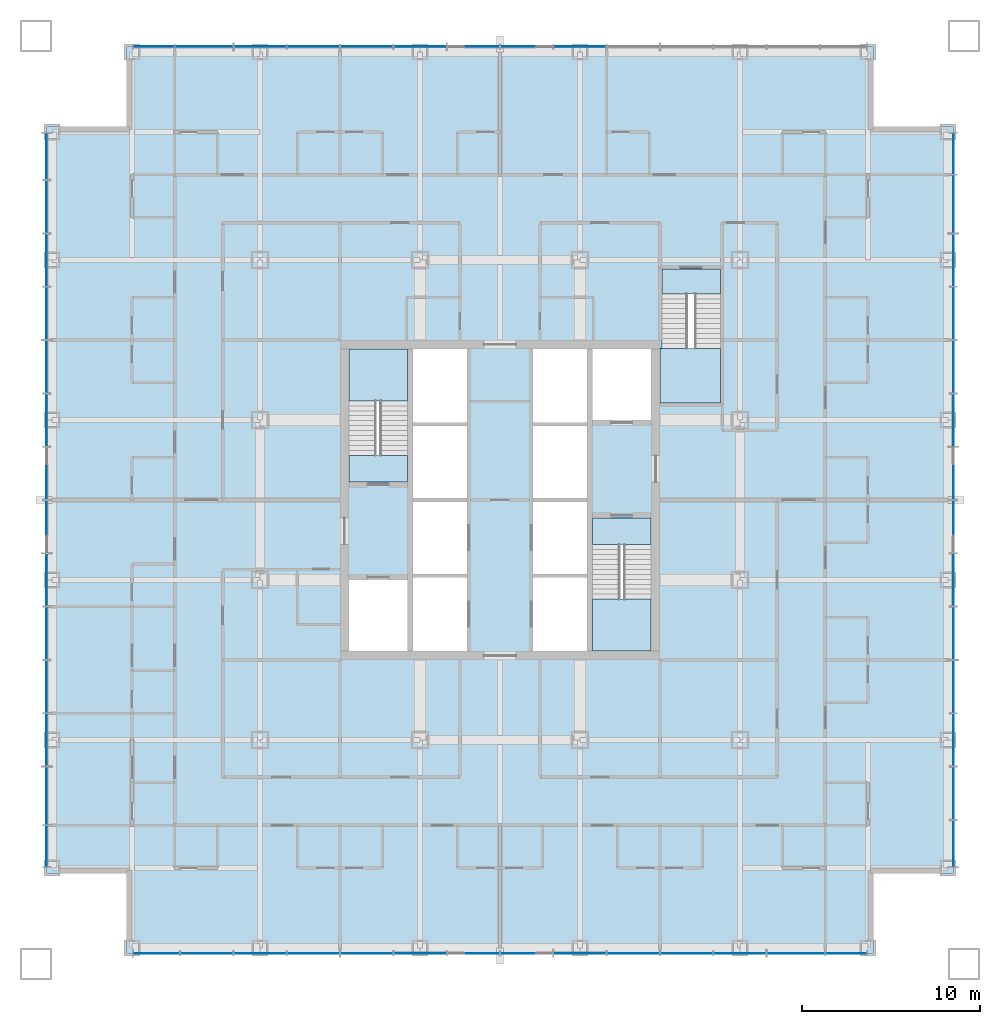
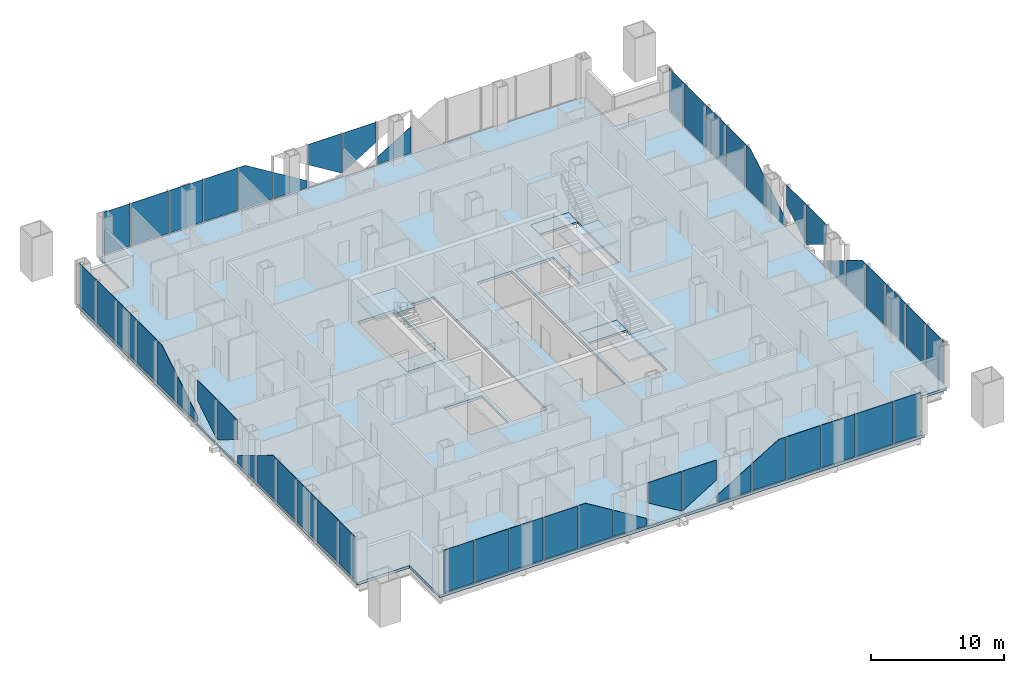
# One storey, part 6 of 13: 51 plates, 7 slabs, 7 elements without a shape of their own.
"""IFC4 building model written with IfcOpenShell, lengths in metres."""

from ifc_helpers import new_model, si_unit, direction, frame, origin, origin_2d, place, context, subcontext, project, spatial, polyline, rectangle, outline, extrude, material, layer, layer_set, type_object, element, aggregate, save


model = new_model("IFC4")

# Units and contexts
model_context = context("Model", 3, precision=1e-05, world=origin(), true_north=direction((0.0, 1.0)))
body_context = subcontext(model_context, "Body", "Model", "MODEL_VIEW")
ifc_project = project(units=[si_unit("LENGTHUNIT", "METRE"), si_unit("AREAUNIT", "SQUARE_METRE"), si_unit("VOLUMEUNIT", "CUBIC_METRE"), si_unit("PLANEANGLEUNIT", "RADIAN"), si_unit("MASSUNIT", "GRAM", prefix="KILO")], contexts=[model_context])

# Site, building, storey
site_placement = place(None, origin())
site = spatial("IfcSite", under=ifc_project, at=site_placement, CompositionType="ELEMENT")
building_placement = place(site_placement, origin())
building = spatial("IfcBuilding", under=site, at=building_placement, Name="Malebo Sky Hospital", CompositionType="ELEMENT")
storey_placement = place(building_placement, frame((0.0, 0.0, 47.0)))
storey = spatial("IfcBuildingStorey", under=building, at=storey_placement, Name="L10", CompositionType="ELEMENT", Elevation=47.0)

# Slab
ifc_material_1 = material(Name="Concrete C40/50", Category="concrete")
ifc_layer_1 = layer(ifc_material_1, 0.25)
ifc_layer_set_1 = layer_set([ifc_layer_1], Name="COMPOSITE FLOOR SLAB 250")
slab_type_1 = type_object("IfcSlabType", Name="COMPOSITE FLOOR SLAB 250", PredefinedType="FLOOR", material=ifc_layer_set_1)
slab_1_placement = place(storey_placement, frame((0.0, 0.0, -0.25)))
element("IfcSlab", 1, at=slab_1_placement, inside=storey, type_object=slab_type_1, Name="Floor slab L10", PredefinedType="FLOOR", context=body_context, shape_type="SweptSolid", body=[
    extrude(outline(polyline([(39.0, 87.5), (39.0, 83.0), (34.5, 83.0), (34.5, 41.0), (39.0, 41.0), (39.0, 36.5), (81.0, 36.5), (81.0, 41.0), (85.5, 41.0), (85.5, 83.0), (81.0, 83.0), (81.0, 87.5), (39.0, 87.5)]), holes=[polyline([(55.10009765625, 70.5), (58.14990234375, 70.5), (58.14990234375, 53.5), (55.10009765625, 53.5), (55.10009765625, 70.5)]), polyline([(64.89990234375, 70.5), (64.89990234375, 53.5), (61.85009765625, 53.5), (61.85009765625, 70.5), (64.89990234375, 70.5)]), polyline([(54.800048828125, 63.0), (51.5, 63.0), (51.5, 70.5), (54.800048828125, 70.5), (54.800048828125, 63.0)]), polyline([(51.5, 53.5), (51.5, 57.5), (54.800048828125, 57.5), (54.800048828125, 53.5), (51.5, 53.5)]), polyline([(65.199951171875, 61.0), (68.5, 61.0), (68.5, 53.5), (65.199951171875, 53.5), (65.199951171875, 61.0)]), polyline([(68.5, 70.5), (68.5, 66.5), (65.199951171875, 66.5), (65.199951171875, 70.5), (68.5, 70.5)]), polyline([(69.0, 67.449951171875), (69.0, 70.52001953125), (69.10009765625, 70.52001953125), (69.10009765625, 75.0), (72.39990234375, 75.0), (72.39990234375, 67.449951171875), (69.10009765625, 67.449951171875), (69.0, 67.449951171875)])]), origin(), (0.0, 0.0, 1.0), 0.25),
])

# Stair, slabs
stair_type_1 = type_object("IfcStairType", Name="HALF-TURN STAIR 1500 R167", PredefinedType="HALF_TURN_STAIR", material=ifc_material_1)
stair_1_placement = place(storey_placement, origin())
stair_1 = element("IfcStair", 2, at=stair_1_placement, inside=storey, type_object=stair_type_1, Name="Stair S1 L10 type ST1", PredefinedType="HALF_TURN_STAIR")
ifc_layer_2 = layer(ifc_material_1, 0.199951171875)
ifc_layer_set_2 = layer_set([ifc_layer_2], Name="STAIR LANDING 200")
slab_type_2 = type_object("IfcSlabType", Name="STAIR LANDING 200", PredefinedType="LANDING", material=ifc_layer_set_2)
slab_2_placement = place(storey_placement, frame((0.0, 0.0, -0.199951171875)))
slab_2 = element("IfcSlab", 3, at=slab_2_placement, type_object=slab_type_2, Name="S1 landing 1", PredefinedType="LANDING", context=body_context, shape_type="SweptSolid", body=[
    extrude(outline(polyline([(51.5, 63.0), (54.800048828125, 63.0), (54.800048828125, 64.5), (51.5, 64.5), (51.5, 63.0)])), origin(), (0.0, 0.0, 1.0), 0.199951171875),
])
slab_3_placement = place(storey_placement, frame((0.0, 0.0, 1.800048828125)))
slab_3 = element("IfcSlab", 4, at=slab_3_placement, type_object=slab_type_2, Name="S1 landing 2", PredefinedType="LANDING", context=body_context, shape_type="SweptSolid", body=[
    extrude(outline(polyline([(51.5, 67.580078125), (54.800048828125, 67.580078125), (54.800048828125, 70.5), (51.5, 70.5), (51.5, 67.580078125)])), origin(), (0.0, 0.0, 1.0), 0.199951171875),
])
aggregate(stair_1, [slab_2, slab_3])

stair_2_placement = place(storey_placement, origin())
stair_2 = element("IfcStair", 5, at=stair_2_placement, inside=storey, type_object=stair_type_1, Name="Stair S2 L10 type ST1", PredefinedType="HALF_TURN_STAIR")
slab_4_placement = place(storey_placement, frame((0.0, 0.0, -0.199951171875)))
slab_4 = element("IfcSlab", 6, at=slab_4_placement, type_object=slab_type_2, Name="S2 landing 1", PredefinedType="LANDING", context=body_context, shape_type="SweptSolid", body=[
    extrude(outline(polyline([(65.199951171875, 59.5), (68.5, 59.5), (68.5, 61.0), (65.199951171875, 61.0), (65.199951171875, 59.5)])), origin(), (0.0, 0.0, 1.0), 0.199951171875),
])
slab_5_placement = place(storey_placement, frame((0.0, 0.0, 1.800048828125)))
slab_5 = element("IfcSlab", 7, at=slab_5_placement, type_object=slab_type_2, Name="S2 landing 2", PredefinedType="LANDING", context=body_context, shape_type="SweptSolid", body=[
    extrude(outline(polyline([(65.199951171875, 53.5), (68.5, 53.5), (68.5, 56.419921875), (65.199951171875, 56.419921875), (65.199951171875, 53.5)])), origin(), (0.0, 0.0, 1.0), 0.199951171875),
])
aggregate(stair_2, [slab_4, slab_5])

stair_type_2 = type_object("IfcStairType", Name="HALF-TURN STAIR 1400 R167", PredefinedType="HALF_TURN_STAIR", material=ifc_material_1)
stair_3_placement = place(storey_placement, origin())
stair_3 = element("IfcStair", 8, at=stair_3_placement, inside=storey, type_object=stair_type_2, Name="Stair S3 L10 type ST1B", PredefinedType="HALF_TURN_STAIR")
slab_6_placement = place(storey_placement, frame((0.0, 0.0, -0.199951171875)))
slab_6 = element("IfcSlab", 9, at=slab_6_placement, type_object=slab_type_2, Name="S3 landing 1", PredefinedType="LANDING", context=body_context, shape_type="SweptSolid", body=[
    extrude(outline(polyline([(69.10009765625, 73.60009765625), (72.39990234375, 73.60009765625), (72.39990234375, 75.0), (69.10009765625, 75.0), (69.10009765625, 73.60009765625)])), origin(), (0.0, 0.0, 1.0), 0.199951171875),
])
slab_7_placement = place(storey_placement, frame((0.0, 0.0, 1.800048828125)))
slab_7 = element("IfcSlab", 10, at=slab_7_placement, type_object=slab_type_2, Name="S3 landing 2", PredefinedType="LANDING", context=body_context, shape_type="SweptSolid", body=[
    extrude(outline(polyline([(69.0, 67.449951171875), (72.39990234375, 67.449951171875), (72.39990234375, 70.52001953125), (69.0, 70.52001953125), (69.0, 67.449951171875)])), origin(), (0.0, 0.0, 1.0), 0.199951171875),
])
aggregate(stair_3, [slab_6, slab_7])

# Curtain wall, plates
ifc_material_2 = material(Name="Anodised aluminium, natural silver", Category="aluminium")
ifc_layer_3 = layer(ifc_material_2, 0.25)
ifc_layer_set_3 = layer_set([ifc_layer_3], Name="WARD CURTAIN WALL NORTH AND SOUTH")
curtain_wall_type_1 = type_object("IfcCurtainWallType", Name="WARD CURTAIN WALL NORTH AND SOUTH", PredefinedType="NOTDEFINED", material=ifc_layer_set_3)
curtain_wall_1_placement = place(storey_placement, origin())
curtain_wall_1 = element("IfcCurtainWall", 11, at=curtain_wall_1_placement, inside=storey, type_object=curtain_wall_type_1, Name="NS curtain wall N", PredefinedType="NOTDEFINED")
ifc_material_3 = material(Name="Clear low-iron double glazing", Category="glass")
ifc_layer_4 = layer(ifc_material_3, 0.031982421875)
ifc_layer_set_4 = layer_set([ifc_layer_4], Name="VISION PANEL CLEAR 32")
plate_type = type_object("IfcPlateType", Name="VISION PANEL CLEAR 32", PredefinedType="CURTAIN_PANEL", material=ifc_layer_set_4)
plate_1_placement = place(storey_placement, frame((40.518798828125, 87.5, 0.10009765625), z_axis=(0.0, 0.0, 1.0), x_axis=(1.0, 0.0, 0.0)))
plate_1 = element("IfcPlate", 12, at=plate_1_placement, type_object=plate_type, Name="Panel 1", PredefinedType="CURTAIN_PANEL", context=body_context, shape_type="SweptSolid", body=[
    extrude(rectangle(XDim=2.28759765625, YDim=0.031982421875, at=origin_2d()), origin(), (0.0, 0.0, 1.0), 3.889892578125),
])
plate_2_placement = place(storey_placement, frame((43.35009765625, 87.5, 0.10009765625), z_axis=(0.0, 0.0, 1.0), x_axis=(1.0, 0.0, 0.0)))
plate_2 = element("IfcPlate", 13, at=plate_2_placement, type_object=plate_type, Name="Panel 2", PredefinedType="CURTAIN_PANEL", context=body_context, shape_type="SweptSolid", body=[
    extrude(rectangle(XDim=3.22509765625, YDim=0.031982421875, at=origin_2d()), origin(), (0.0, 0.0, 1.0), 3.889892578125),
])
plate_3_placement = place(storey_placement, frame((46.5, 87.5, 0.10009765625), z_axis=(0.0, 0.0, 1.0), x_axis=(1.0, 0.0, 0.0)))
plate_3 = element("IfcPlate", 14, at=plate_3_placement, type_object=plate_type, Name="Panel 3", PredefinedType="CURTAIN_PANEL", context=body_context, shape_type="SweptSolid", body=[
    extrude(rectangle(XDim=2.925048828125, YDim=0.031982421875, at=origin_2d()), origin(), (0.0, 0.0, 1.0), 3.889892578125),
])
plate_4_placement = place(storey_placement, frame((49.5, 87.5, 0.10009765625), z_axis=(0.0, 0.0, 1.0), x_axis=(1.0, 0.0, 0.0)))
plate_4 = element("IfcPlate", 15, at=plate_4_placement, type_object=plate_type, Name="Panel 4", PredefinedType="CURTAIN_PANEL", context=body_context, shape_type="SweptSolid", body=[
    extrude(rectangle(XDim=2.925048828125, YDim=0.031982421875, at=origin_2d()), origin(), (0.0, 0.0, 1.0), 3.889892578125),
])
plate_5_placement = place(storey_placement, frame((52.5, 87.5, 0.10009765625), z_axis=(0.0, 0.0, 1.0), x_axis=(1.0, 0.0, 0.0)))
plate_5 = element("IfcPlate", 16, at=plate_5_placement, type_object=plate_type, Name="Panel 5", PredefinedType="CURTAIN_PANEL", context=body_context, shape_type="SweptSolid", body=[
    extrude(outline(polyline([(-1.46240234375, 0.0), (1.46240234375, 0.0), (1.46240234375, 2.467529296875), (-0.85791015625, 3.889892578125), (-1.46240234375, 3.889892578125), (-1.46240234375, 0.0)])), frame((0.0, 0.01611328125, 0.0), z_axis=(0.0, -1.0, 0.0), x_axis=(1.0, 0.0, 0.0)), (0.0, 0.0, 1.0), 0.031982421875),
])
plate_6_placement = place(storey_placement, frame((55.5, 87.5, 0.10009765625), z_axis=(0.0, 0.0, 1.0), x_axis=(1.0, 0.0, 0.0)))
plate_6 = element("IfcPlate", 17, at=plate_6_placement, type_object=plate_type, Name="Panel 6", PredefinedType="CURTAIN_PANEL", context=body_context, shape_type="SweptSolid", body=[
    extrude(outline(polyline([(-1.46240234375, 0.0), (1.46240234375, 0.0), (1.46240234375, 0.62841796875), (-1.46240234375, 2.421630859375), (-1.46240234375, 0.0)])), frame((0.0, 0.01611328125, 0.0), z_axis=(0.0, -1.0, 0.0), x_axis=(1.0, 0.0, 0.0)), (0.0, 0.0, 1.0), 0.031982421875),
])
plate_7_placement = place(storey_placement, frame((58.5, 87.5, 0.356689453125), z_axis=(0.0, 0.0, 1.0), x_axis=(1.0, 0.0, 0.0)))
plate_7 = element("IfcPlate", 18, at=plate_7_placement, type_object=plate_type, Name="Panel 7", PredefinedType="CURTAIN_PANEL", context=body_context, shape_type="SweptSolid", body=[
    extrude(outline(polyline([(1.46240234375, 0.0), (1.46240234375, 3.63330078125), (-1.46240234375, 3.63330078125), (-1.46240234375, 1.793212890625), (1.46240234375, 0.0)])), frame((0.0, 0.01611328125, 0.0), z_axis=(0.0, -1.0, 0.0), x_axis=(1.0, 0.0, 0.0)), (0.0, 0.0, 1.0), 0.031982421875),
])
plate_8_placement = place(storey_placement, frame((61.5, 87.5, 0.356689453125), z_axis=(0.0, 0.0, 1.0), x_axis=(1.0, 0.0, 0.0)))
plate_8 = element("IfcPlate", 19, at=plate_8_placement, type_object=plate_type, Name="Panel 8", PredefinedType="CURTAIN_PANEL", context=body_context, shape_type="SweptSolid", body=[
    extrude(outline(polyline([(-1.46240234375, 0.0), (1.46240234375, 1.793212890625), (1.46240234375, 3.63330078125), (-1.46240234375, 3.63330078125), (-1.46240234375, 0.0)])), frame((0.0, 0.01611328125, 0.0), z_axis=(0.0, -1.0, 0.0), x_axis=(1.0, 0.0, 0.0)), (0.0, 0.0, 1.0), 0.031982421875),
])
plate_9_placement = place(storey_placement, frame((64.5, 87.5, 0.10009765625), z_axis=(0.0, 0.0, 1.0), x_axis=(1.0, 0.0, 0.0)))
plate_9 = element("IfcPlate", 20, at=plate_9_placement, type_object=plate_type, Name="Panel 9", PredefinedType="CURTAIN_PANEL", context=body_context, shape_type="SweptSolid", body=[
    extrude(outline(polyline([(-1.46240234375, 0.0), (1.46240234375, 0.0), (1.46240234375, 2.421630859375), (-1.46240234375, 0.62841796875), (-1.46240234375, 0.0)])), frame((0.0, 0.01611328125, 0.0), z_axis=(0.0, -1.0, 0.0), x_axis=(1.0, 0.0, 0.0)), (0.0, 0.0, 1.0), 0.031982421875),
])
aggregate(curtain_wall_1, [plate_1, plate_2, plate_3, plate_4, plate_5, plate_6, plate_7, plate_8, plate_9])

ifc_layer_5 = layer(ifc_material_2, 0.25)
ifc_layer_set_5 = layer_set([ifc_layer_5], Name="WARD CURTAIN WALL EAST AND WEST")
curtain_wall_type_2 = type_object("IfcCurtainWallType", Name="WARD CURTAIN WALL EAST AND WEST", PredefinedType="NOTDEFINED", material=ifc_layer_set_5)
curtain_wall_2_placement = place(storey_placement, origin())
curtain_wall_2 = element("IfcCurtainWall", 21, at=curtain_wall_2_placement, inside=storey, type_object=curtain_wall_type_2, Name="EW curtain wall W", PredefinedType="NOTDEFINED")
plate_10_placement = place(storey_placement, frame((34.5, 42.518798828125, 0.10009765625), z_axis=(0.0, 0.0, 1.0), x_axis=(0.0, 1.0, 0.0)))
plate_10 = element("IfcPlate", 22, at=plate_10_placement, type_object=plate_type, Name="Panel 1", PredefinedType="CURTAIN_PANEL", context=body_context, shape_type="SweptSolid", body=[
    extrude(rectangle(XDim=2.28759765625, YDim=0.031982421875, at=origin_2d()), origin(), (0.0, 0.0, 1.0), 3.889892578125),
])
plate_11_placement = place(storey_placement, frame((34.5, 45.35009765625, 0.10009765625), z_axis=(0.0, 0.0, 1.0), x_axis=(0.0, 1.0, 0.0)))
plate_11 = element("IfcPlate", 23, at=plate_11_placement, type_object=plate_type, Name="Panel 2", PredefinedType="CURTAIN_PANEL", context=body_context, shape_type="SweptSolid", body=[
    extrude(rectangle(XDim=3.22509765625, YDim=0.031982421875, at=origin_2d()), origin(), (0.0, 0.0, 1.0), 3.889892578125),
])
plate_12_placement = place(storey_placement, frame((34.5, 48.5, 0.10009765625), z_axis=(0.0, 0.0, 1.0), x_axis=(0.0, 1.0, 0.0)))
plate_12 = element("IfcPlate", 24, at=plate_12_placement, type_object=plate_type, Name="Panel 3", PredefinedType="CURTAIN_PANEL", context=body_context, shape_type="SweptSolid", body=[
    extrude(rectangle(XDim=2.925048828125, YDim=0.031982421875, at=origin_2d()), origin(), (0.0, 0.0, 1.0), 3.889892578125),
])
plate_13_placement = place(storey_placement, frame((34.5, 51.5, 0.10009765625), z_axis=(0.0, 0.0, 1.0), x_axis=(0.0, 1.0, 0.0)))
plate_13 = element("IfcPlate", 25, at=plate_13_placement, type_object=plate_type, Name="Panel 4", PredefinedType="CURTAIN_PANEL", context=body_context, shape_type="SweptSolid", body=[
    extrude(rectangle(XDim=2.925048828125, YDim=0.031982421875, at=origin_2d()), origin(), (0.0, 0.0, 1.0), 3.889892578125),
])
plate_14_placement = place(storey_placement, frame((34.5, 54.5, 0.10009765625), z_axis=(0.0, 0.0, 1.0), x_axis=(0.0, 1.0, 0.0)))
plate_14 = element("IfcPlate", 26, at=plate_14_placement, type_object=plate_type, Name="Panel 5", PredefinedType="CURTAIN_PANEL", context=body_context, shape_type="SweptSolid", body=[
    extrude(outline(polyline([(-1.46240234375, 0.0), (1.46240234375, 0.0), (1.46240234375, 2.467529296875), (-0.85791015625, 3.889892578125), (-1.46240234375, 3.889892578125), (-1.46240234375, 0.0)])), frame((0.0, 0.01611328125, 0.0), z_axis=(0.0, -1.0, 0.0), x_axis=(1.0, 0.0, 0.0)), (0.0, 0.0, 1.0), 0.031982421875),
])
plate_15_placement = place(storey_placement, frame((34.5, 57.5, 0.10009765625), z_axis=(0.0, 0.0, 1.0), x_axis=(0.0, 1.0, 0.0)))
plate_15 = element("IfcPlate", 27, at=plate_15_placement, type_object=plate_type, Name="Panel 6", PredefinedType="CURTAIN_PANEL", context=body_context, shape_type="SweptSolid", body=[
    extrude(outline(polyline([(-1.46240234375, 0.0), (1.46240234375, 0.0), (1.46240234375, 0.62841796875), (-1.46240234375, 2.421630859375), (-1.46240234375, 0.0)])), frame((0.0, 0.01611328125, 0.0), z_axis=(0.0, -1.0, 0.0), x_axis=(1.0, 0.0, 0.0)), (0.0, 0.0, 1.0), 0.031982421875),
])
plate_16_placement = place(storey_placement, frame((34.5, 60.5, 0.356689453125), z_axis=(0.0, 0.0, 1.0), x_axis=(0.0, 1.0, 0.0)))
plate_16 = element("IfcPlate", 28, at=plate_16_placement, type_object=plate_type, Name="Panel 7", PredefinedType="CURTAIN_PANEL", context=body_context, shape_type="SweptSolid", body=[
    extrude(outline(polyline([(1.46240234375, 0.0), (1.46240234375, 3.63330078125), (-1.46240234375, 3.63330078125), (-1.46240234375, 1.793212890625), (1.46240234375, 0.0)])), frame((0.0, 0.01611328125, 0.0), z_axis=(0.0, -1.0, 0.0), x_axis=(1.0, 0.0, 0.0)), (0.0, 0.0, 1.0), 0.031982421875),
])
plate_17_placement = place(storey_placement, frame((34.5, 63.5, 0.356689453125), z_axis=(0.0, 0.0, 1.0), x_axis=(0.0, 1.0, 0.0)))
plate_17 = element("IfcPlate", 29, at=plate_17_placement, type_object=plate_type, Name="Panel 8", PredefinedType="CURTAIN_PANEL", context=body_context, shape_type="SweptSolid", body=[
    extrude(outline(polyline([(-1.46240234375, 0.0), (1.46240234375, 1.793212890625), (1.46240234375, 3.63330078125), (-1.46240234375, 3.63330078125), (-1.46240234375, 0.0)])), frame((0.0, 0.01611328125, 0.0), z_axis=(0.0, -1.0, 0.0), x_axis=(1.0, 0.0, 0.0)), (0.0, 0.0, 1.0), 0.031982421875),
])
plate_18_placement = place(storey_placement, frame((34.5, 66.5, 0.10009765625), z_axis=(0.0, 0.0, 1.0), x_axis=(0.0, 1.0, 0.0)))
plate_18 = element("IfcPlate", 30, at=plate_18_placement, type_object=plate_type, Name="Panel 9", PredefinedType="CURTAIN_PANEL", context=body_context, shape_type="SweptSolid", body=[
    extrude(outline(polyline([(-1.46240234375, 0.0), (1.46240234375, 0.0), (1.46240234375, 2.421630859375), (-1.46240234375, 0.62841796875), (-1.46240234375, 0.0)])), frame((0.0, 0.01611328125, 0.0), z_axis=(0.0, -1.0, 0.0), x_axis=(1.0, 0.0, 0.0)), (0.0, 0.0, 1.0), 0.031982421875),
])
plate_19_placement = place(storey_placement, frame((34.5, 69.5, 0.10009765625), z_axis=(0.0, 0.0, 1.0), x_axis=(0.0, 1.0, 0.0)))
plate_19 = element("IfcPlate", 31, at=plate_19_placement, type_object=plate_type, Name="Panel 10", PredefinedType="CURTAIN_PANEL", context=body_context, shape_type="SweptSolid", body=[
    extrude(outline(polyline([(-1.46240234375, 0.0), (1.46240234375, 0.0), (1.46240234375, 3.889892578125), (0.85791015625, 3.889892578125), (-1.46240234375, 2.467529296875), (-1.46240234375, 0.0)])), frame((0.0, 0.01611328125, 0.0), z_axis=(0.0, -1.0, 0.0), x_axis=(1.0, 0.0, 0.0)), (0.0, 0.0, 1.0), 0.031982421875),
])
plate_20_placement = place(storey_placement, frame((34.5, 72.5, 0.10009765625), z_axis=(0.0, 0.0, 1.0), x_axis=(0.0, 1.0, 0.0)))
plate_20 = element("IfcPlate", 32, at=plate_20_placement, type_object=plate_type, Name="Panel 11", PredefinedType="CURTAIN_PANEL", context=body_context, shape_type="SweptSolid", body=[
    extrude(rectangle(XDim=2.925048828125, YDim=0.031982421875, at=origin_2d()), origin(), (0.0, 0.0, 1.0), 3.889892578125),
])
plate_21_placement = place(storey_placement, frame((34.5, 75.5, 0.10009765625), z_axis=(0.0, 0.0, 1.0), x_axis=(0.0, 1.0, 0.0)))
plate_21 = element("IfcPlate", 33, at=plate_21_placement, type_object=plate_type, Name="Panel 12", PredefinedType="CURTAIN_PANEL", context=body_context, shape_type="SweptSolid", body=[
    extrude(rectangle(XDim=2.925048828125, YDim=0.031982421875, at=origin_2d()), origin(), (0.0, 0.0, 1.0), 3.889892578125),
])
plate_22_placement = place(storey_placement, frame((34.5, 78.5, 0.10009765625), z_axis=(0.0, 0.0, 1.0), x_axis=(0.0, 1.0, 0.0)))
plate_22 = element("IfcPlate", 34, at=plate_22_placement, type_object=plate_type, Name="Panel 13", PredefinedType="CURTAIN_PANEL", context=body_context, shape_type="SweptSolid", body=[
    extrude(rectangle(XDim=2.925048828125, YDim=0.031982421875, at=origin_2d()), origin(), (0.0, 0.0, 1.0), 3.889892578125),
])
plate_23_placement = place(storey_placement, frame((34.5, 81.331298828125, 0.10009765625), z_axis=(0.0, 0.0, 1.0), x_axis=(0.0, 1.0, 0.0)))
plate_23 = element("IfcPlate", 35, at=plate_23_placement, type_object=plate_type, Name="Panel 14", PredefinedType="CURTAIN_PANEL", context=body_context, shape_type="SweptSolid", body=[
    extrude(rectangle(XDim=2.58740234375, YDim=0.031982421875, at=origin_2d()), origin(), (0.0, 0.0, 1.0), 3.889892578125),
])
aggregate(curtain_wall_2, [plate_10, plate_11, plate_12, plate_13, plate_14, plate_15, plate_16, plate_17, plate_18, plate_19, plate_20, plate_21, plate_22, plate_23])

curtain_wall_3_placement = place(storey_placement, origin())
curtain_wall_3 = element("IfcCurtainWall", 36, at=curtain_wall_3_placement, inside=storey, type_object=curtain_wall_type_1, Name="NS curtain wall S", PredefinedType="NOTDEFINED")
plate_24_placement = place(storey_placement, frame((79.481201171875, 36.5, 0.10009765625), z_axis=(0.0, 0.0, 1.0), x_axis=(-1.0, 0.0, 0.0)))
plate_24 = element("IfcPlate", 37, at=plate_24_placement, type_object=plate_type, Name="Panel 1", PredefinedType="CURTAIN_PANEL", context=body_context, shape_type="SweptSolid", body=[
    extrude(rectangle(XDim=2.28759765625, YDim=0.031982421875, at=origin_2d()), origin(), (0.0, 0.0, 1.0), 3.889892578125),
])
plate_25_placement = place(storey_placement, frame((76.64990234375, 36.5, 0.10009765625), z_axis=(0.0, 0.0, 1.0), x_axis=(-1.0, 0.0, 0.0)))
plate_25 = element("IfcPlate", 38, at=plate_25_placement, type_object=plate_type, Name="Panel 2", PredefinedType="CURTAIN_PANEL", context=body_context, shape_type="SweptSolid", body=[
    extrude(rectangle(XDim=3.22509765625, YDim=0.031982421875, at=origin_2d()), origin(), (0.0, 0.0, 1.0), 3.889892578125),
])
plate_26_placement = place(storey_placement, frame((73.5, 36.5, 0.10009765625), z_axis=(0.0, 0.0, 1.0), x_axis=(-1.0, 0.0, 0.0)))
plate_26 = element("IfcPlate", 39, at=plate_26_placement, type_object=plate_type, Name="Panel 3", PredefinedType="CURTAIN_PANEL", context=body_context, shape_type="SweptSolid", body=[
    extrude(rectangle(XDim=2.925048828125, YDim=0.031982421875, at=origin_2d()), origin(), (0.0, 0.0, 1.0), 3.889892578125),
])
plate_27_placement = place(storey_placement, frame((70.5, 36.5, 0.10009765625), z_axis=(0.0, 0.0, 1.0), x_axis=(-1.0, 0.0, 0.0)))
plate_27 = element("IfcPlate", 40, at=plate_27_placement, type_object=plate_type, Name="Panel 4", PredefinedType="CURTAIN_PANEL", context=body_context, shape_type="SweptSolid", body=[
    extrude(rectangle(XDim=2.925048828125, YDim=0.031982421875, at=origin_2d()), origin(), (0.0, 0.0, 1.0), 3.889892578125),
])
plate_28_placement = place(storey_placement, frame((67.5, 36.5, 0.10009765625), z_axis=(0.0, 0.0, 1.0), x_axis=(-1.0, 0.0, 0.0)))
plate_28 = element("IfcPlate", 41, at=plate_28_placement, type_object=plate_type, Name="Panel 5", PredefinedType="CURTAIN_PANEL", context=body_context, shape_type="SweptSolid", body=[
    extrude(outline(polyline([(-1.46240234375, 0.0), (1.46240234375, 0.0), (1.46240234375, 2.467529296875), (-0.85791015625, 3.889892578125), (-1.46240234375, 3.889892578125), (-1.46240234375, 0.0)])), frame((0.0, 0.01611328125, 0.0), z_axis=(0.0, -1.0, 0.0), x_axis=(1.0, 0.0, 0.0)), (0.0, 0.0, 1.0), 0.031982421875),
])
plate_29_placement = place(storey_placement, frame((64.5, 36.5, 0.10009765625), z_axis=(0.0, 0.0, 1.0), x_axis=(-1.0, 0.0, 0.0)))
plate_29 = element("IfcPlate", 42, at=plate_29_placement, type_object=plate_type, Name="Panel 6", PredefinedType="CURTAIN_PANEL", context=body_context, shape_type="SweptSolid", body=[
    extrude(outline(polyline([(-1.46240234375, 0.0), (1.46240234375, 0.0), (1.46240234375, 0.62841796875), (-1.46240234375, 2.421630859375), (-1.46240234375, 0.0)])), frame((0.0, 0.01611328125, 0.0), z_axis=(0.0, -1.0, 0.0), x_axis=(1.0, 0.0, 0.0)), (0.0, 0.0, 1.0), 0.031982421875),
])
plate_30_placement = place(storey_placement, frame((61.5, 36.5, 0.356689453125), z_axis=(0.0, 0.0, 1.0), x_axis=(-1.0, 0.0, 0.0)))
plate_30 = element("IfcPlate", 43, at=plate_30_placement, type_object=plate_type, Name="Panel 7", PredefinedType="CURTAIN_PANEL", context=body_context, shape_type="SweptSolid", body=[
    extrude(outline(polyline([(1.46240234375, 0.0), (1.46240234375, 3.63330078125), (-1.46240234375, 3.63330078125), (-1.46240234375, 1.793212890625), (1.46240234375, 0.0)])), frame((0.0, 0.01611328125, 0.0), z_axis=(0.0, -1.0, 0.0), x_axis=(1.0, 0.0, 0.0)), (0.0, 0.0, 1.0), 0.031982421875),
])
plate_31_placement = place(storey_placement, frame((58.5, 36.5, 0.356689453125), z_axis=(0.0, 0.0, 1.0), x_axis=(-1.0, 0.0, 0.0)))
plate_31 = element("IfcPlate", 44, at=plate_31_placement, type_object=plate_type, Name="Panel 8", PredefinedType="CURTAIN_PANEL", context=body_context, shape_type="SweptSolid", body=[
    extrude(outline(polyline([(-1.46240234375, 0.0), (1.46240234375, 1.793212890625), (1.46240234375, 3.63330078125), (-1.46240234375, 3.63330078125), (-1.46240234375, 0.0)])), frame((0.0, 0.01611328125, 0.0), z_axis=(0.0, -1.0, 0.0), x_axis=(1.0, 0.0, 0.0)), (0.0, 0.0, 1.0), 0.031982421875),
])
plate_32_placement = place(storey_placement, frame((55.5, 36.5, 0.10009765625), z_axis=(0.0, 0.0, 1.0), x_axis=(-1.0, 0.0, 0.0)))
plate_32 = element("IfcPlate", 45, at=plate_32_placement, type_object=plate_type, Name="Panel 9", PredefinedType="CURTAIN_PANEL", context=body_context, shape_type="SweptSolid", body=[
    extrude(outline(polyline([(-1.46240234375, 0.0), (1.46240234375, 0.0), (1.46240234375, 2.421630859375), (-1.46240234375, 0.62841796875), (-1.46240234375, 0.0)])), frame((0.0, 0.01611328125, 0.0), z_axis=(0.0, -1.0, 0.0), x_axis=(1.0, 0.0, 0.0)), (0.0, 0.0, 1.0), 0.031982421875),
])
plate_33_placement = place(storey_placement, frame((52.5, 36.5, 0.10009765625), z_axis=(0.0, 0.0, 1.0), x_axis=(-1.0, 0.0, 0.0)))
plate_33 = element("IfcPlate", 46, at=plate_33_placement, type_object=plate_type, Name="Panel 10", PredefinedType="CURTAIN_PANEL", context=body_context, shape_type="SweptSolid", body=[
    extrude(outline(polyline([(-1.46240234375, 0.0), (1.46240234375, 0.0), (1.46240234375, 3.889892578125), (0.85791015625, 3.889892578125), (-1.46240234375, 2.467529296875), (-1.46240234375, 0.0)])), frame((0.0, 0.01611328125, 0.0), z_axis=(0.0, -1.0, 0.0), x_axis=(1.0, 0.0, 0.0)), (0.0, 0.0, 1.0), 0.031982421875),
])
plate_34_placement = place(storey_placement, frame((49.5, 36.5, 0.10009765625), z_axis=(0.0, 0.0, 1.0), x_axis=(-1.0, 0.0, 0.0)))
plate_34 = element("IfcPlate", 47, at=plate_34_placement, type_object=plate_type, Name="Panel 11", PredefinedType="CURTAIN_PANEL", context=body_context, shape_type="SweptSolid", body=[
    extrude(rectangle(XDim=2.925048828125, YDim=0.031982421875, at=origin_2d()), origin(), (0.0, 0.0, 1.0), 3.889892578125),
])
plate_35_placement = place(storey_placement, frame((46.5, 36.5, 0.10009765625), z_axis=(0.0, 0.0, 1.0), x_axis=(-1.0, 0.0, 0.0)))
plate_35 = element("IfcPlate", 48, at=plate_35_placement, type_object=plate_type, Name="Panel 12", PredefinedType="CURTAIN_PANEL", context=body_context, shape_type="SweptSolid", body=[
    extrude(rectangle(XDim=2.925048828125, YDim=0.031982421875, at=origin_2d()), origin(), (0.0, 0.0, 1.0), 3.889892578125),
])
plate_36_placement = place(storey_placement, frame((43.5, 36.5, 0.10009765625), z_axis=(0.0, 0.0, 1.0), x_axis=(-1.0, 0.0, 0.0)))
plate_36 = element("IfcPlate", 49, at=plate_36_placement, type_object=plate_type, Name="Panel 13", PredefinedType="CURTAIN_PANEL", context=body_context, shape_type="SweptSolid", body=[
    extrude(rectangle(XDim=2.925048828125, YDim=0.031982421875, at=origin_2d()), origin(), (0.0, 0.0, 1.0), 3.889892578125),
])
plate_37_placement = place(storey_placement, frame((40.668701171875, 36.5, 0.10009765625), z_axis=(0.0, 0.0, 1.0), x_axis=(-1.0, 0.0, 0.0)))
plate_37 = element("IfcPlate", 50, at=plate_37_placement, type_object=plate_type, Name="Panel 14", PredefinedType="CURTAIN_PANEL", context=body_context, shape_type="SweptSolid", body=[
    extrude(rectangle(XDim=2.58740234375, YDim=0.031982421875, at=origin_2d()), origin(), (0.0, 0.0, 1.0), 3.889892578125),
])
aggregate(curtain_wall_3, [plate_24, plate_25, plate_26, plate_27, plate_28, plate_29, plate_30, plate_31, plate_32, plate_33, plate_34, plate_35, plate_36, plate_37])

curtain_wall_4_placement = place(storey_placement, origin())
curtain_wall_4 = element("IfcCurtainWall", 51, at=curtain_wall_4_placement, inside=storey, type_object=curtain_wall_type_2, Name="EW curtain wall E", PredefinedType="NOTDEFINED")
plate_38_placement = place(storey_placement, frame((85.5, 81.481201171875, 0.10009765625), z_axis=(0.0, 0.0, 1.0), x_axis=(0.0, -1.0, 0.0)))
plate_38 = element("IfcPlate", 52, at=plate_38_placement, type_object=plate_type, Name="Panel 1", PredefinedType="CURTAIN_PANEL", context=body_context, shape_type="SweptSolid", body=[
    extrude(rectangle(XDim=2.28759765625, YDim=0.031982421875, at=origin_2d()), origin(), (0.0, 0.0, 1.0), 3.889892578125),
])
plate_39_placement = place(storey_placement, frame((85.5, 78.64990234375, 0.10009765625), z_axis=(0.0, 0.0, 1.0), x_axis=(0.0, -1.0, 0.0)))
plate_39 = element("IfcPlate", 53, at=plate_39_placement, type_object=plate_type, Name="Panel 2", PredefinedType="CURTAIN_PANEL", context=body_context, shape_type="SweptSolid", body=[
    extrude(rectangle(XDim=3.22509765625, YDim=0.031982421875, at=origin_2d()), origin(), (0.0, 0.0, 1.0), 3.889892578125),
])
plate_40_placement = place(storey_placement, frame((85.5, 75.5, 0.10009765625), z_axis=(0.0, 0.0, 1.0), x_axis=(0.0, -1.0, 0.0)))
plate_40 = element("IfcPlate", 54, at=plate_40_placement, type_object=plate_type, Name="Panel 3", PredefinedType="CURTAIN_PANEL", context=body_context, shape_type="SweptSolid", body=[
    extrude(rectangle(XDim=2.925048828125, YDim=0.031982421875, at=origin_2d()), origin(), (0.0, 0.0, 1.0), 3.889892578125),
])
plate_41_placement = place(storey_placement, frame((85.5, 72.5, 0.10009765625), z_axis=(0.0, 0.0, 1.0), x_axis=(0.0, -1.0, 0.0)))
plate_41 = element("IfcPlate", 55, at=plate_41_placement, type_object=plate_type, Name="Panel 4", PredefinedType="CURTAIN_PANEL", context=body_context, shape_type="SweptSolid", body=[
    extrude(rectangle(XDim=2.925048828125, YDim=0.031982421875, at=origin_2d()), origin(), (0.0, 0.0, 1.0), 3.889892578125),
])
plate_42_placement = place(storey_placement, frame((85.5, 69.5, 0.10009765625), z_axis=(0.0, 0.0, 1.0), x_axis=(0.0, -1.0, 0.0)))
plate_42 = element("IfcPlate", 56, at=plate_42_placement, type_object=plate_type, Name="Panel 5", PredefinedType="CURTAIN_PANEL", context=body_context, shape_type="SweptSolid", body=[
    extrude(outline(polyline([(-1.46240234375, 0.0), (1.46240234375, 0.0), (1.46240234375, 2.467529296875), (-0.85791015625, 3.889892578125), (-1.46240234375, 3.889892578125), (-1.46240234375, 0.0)])), frame((0.0, 0.01611328125, 0.0), z_axis=(0.0, -1.0, 0.0), x_axis=(1.0, 0.0, 0.0)), (0.0, 0.0, 1.0), 0.031982421875),
])
plate_43_placement = place(storey_placement, frame((85.5, 66.5, 0.10009765625), z_axis=(0.0, 0.0, 1.0), x_axis=(0.0, -1.0, 0.0)))
plate_43 = element("IfcPlate", 57, at=plate_43_placement, type_object=plate_type, Name="Panel 6", PredefinedType="CURTAIN_PANEL", context=body_context, shape_type="SweptSolid", body=[
    extrude(outline(polyline([(-1.46240234375, 0.0), (1.46240234375, 0.0), (1.46240234375, 0.62841796875), (-1.46240234375, 2.421630859375), (-1.46240234375, 0.0)])), frame((0.0, 0.01611328125, 0.0), z_axis=(0.0, -1.0, 0.0), x_axis=(1.0, 0.0, 0.0)), (0.0, 0.0, 1.0), 0.031982421875),
])
plate_44_placement = place(storey_placement, frame((85.5, 63.5, 0.356689453125), z_axis=(0.0, 0.0, 1.0), x_axis=(0.0, -1.0, 0.0)))
plate_44 = element("IfcPlate", 58, at=plate_44_placement, type_object=plate_type, Name="Panel 7", PredefinedType="CURTAIN_PANEL", context=body_context, shape_type="SweptSolid", body=[
    extrude(outline(polyline([(1.46240234375, 0.0), (1.46240234375, 3.63330078125), (-1.46240234375, 3.63330078125), (-1.46240234375, 1.793212890625), (1.46240234375, 0.0)])), frame((0.0, 0.01611328125, 0.0), z_axis=(0.0, -1.0, 0.0), x_axis=(1.0, 0.0, 0.0)), (0.0, 0.0, 1.0), 0.031982421875),
])
plate_45_placement = place(storey_placement, frame((85.5, 60.5, 0.356689453125), z_axis=(0.0, 0.0, 1.0), x_axis=(0.0, -1.0, 0.0)))
plate_45 = element("IfcPlate", 59, at=plate_45_placement, type_object=plate_type, Name="Panel 8", PredefinedType="CURTAIN_PANEL", context=body_context, shape_type="SweptSolid", body=[
    extrude(outline(polyline([(-1.46240234375, 0.0), (1.46240234375, 1.793212890625), (1.46240234375, 3.63330078125), (-1.46240234375, 3.63330078125), (-1.46240234375, 0.0)])), frame((0.0, 0.01611328125, 0.0), z_axis=(0.0, -1.0, 0.0), x_axis=(1.0, 0.0, 0.0)), (0.0, 0.0, 1.0), 0.031982421875),
])
plate_46_placement = place(storey_placement, frame((85.5, 57.5, 0.10009765625), z_axis=(0.0, 0.0, 1.0), x_axis=(0.0, -1.0, 0.0)))
plate_46 = element("IfcPlate", 60, at=plate_46_placement, type_object=plate_type, Name="Panel 9", PredefinedType="CURTAIN_PANEL", context=body_context, shape_type="SweptSolid", body=[
    extrude(outline(polyline([(-1.46240234375, 0.0), (1.46240234375, 0.0), (1.46240234375, 2.421630859375), (-1.46240234375, 0.62841796875), (-1.46240234375, 0.0)])), frame((0.0, 0.01611328125, 0.0), z_axis=(0.0, -1.0, 0.0), x_axis=(1.0, 0.0, 0.0)), (0.0, 0.0, 1.0), 0.031982421875),
])
plate_47_placement = place(storey_placement, frame((85.5, 54.5, 0.10009765625), z_axis=(0.0, 0.0, 1.0), x_axis=(0.0, -1.0, 0.0)))
plate_47 = element("IfcPlate", 61, at=plate_47_placement, type_object=plate_type, Name="Panel 10", PredefinedType="CURTAIN_PANEL", context=body_context, shape_type="SweptSolid", body=[
    extrude(outline(polyline([(-1.46240234375, 0.0), (1.46240234375, 0.0), (1.46240234375, 3.889892578125), (0.85791015625, 3.889892578125), (-1.46240234375, 2.467529296875), (-1.46240234375, 0.0)])), frame((0.0, 0.01611328125, 0.0), z_axis=(0.0, -1.0, 0.0), x_axis=(1.0, 0.0, 0.0)), (0.0, 0.0, 1.0), 0.031982421875),
])
plate_48_placement = place(storey_placement, frame((85.5, 51.5, 0.10009765625), z_axis=(0.0, 0.0, 1.0), x_axis=(0.0, -1.0, 0.0)))
plate_48 = element("IfcPlate", 62, at=plate_48_placement, type_object=plate_type, Name="Panel 11", PredefinedType="CURTAIN_PANEL", context=body_context, shape_type="SweptSolid", body=[
    extrude(rectangle(XDim=2.925048828125, YDim=0.031982421875, at=origin_2d()), origin(), (0.0, 0.0, 1.0), 3.889892578125),
])
plate_49_placement = place(storey_placement, frame((85.5, 48.5, 0.10009765625), z_axis=(0.0, 0.0, 1.0), x_axis=(0.0, -1.0, 0.0)))
plate_49 = element("IfcPlate", 63, at=plate_49_placement, type_object=plate_type, Name="Panel 12", PredefinedType="CURTAIN_PANEL", context=body_context, shape_type="SweptSolid", body=[
    extrude(rectangle(XDim=2.925048828125, YDim=0.031982421875, at=origin_2d()), origin(), (0.0, 0.0, 1.0), 3.889892578125),
])
plate_50_placement = place(storey_placement, frame((85.5, 45.5, 0.10009765625), z_axis=(0.0, 0.0, 1.0), x_axis=(0.0, -1.0, 0.0)))
plate_50 = element("IfcPlate", 64, at=plate_50_placement, type_object=plate_type, Name="Panel 13", PredefinedType="CURTAIN_PANEL", context=body_context, shape_type="SweptSolid", body=[
    extrude(rectangle(XDim=2.925048828125, YDim=0.031982421875, at=origin_2d()), origin(), (0.0, 0.0, 1.0), 3.889892578125),
])
plate_51_placement = place(storey_placement, frame((85.5, 42.668701171875, 0.10009765625), z_axis=(0.0, 0.0, 1.0), x_axis=(0.0, -1.0, 0.0)))
plate_51 = element("IfcPlate", 65, at=plate_51_placement, type_object=plate_type, Name="Panel 14", PredefinedType="CURTAIN_PANEL", context=body_context, shape_type="SweptSolid", body=[
    extrude(rectangle(XDim=2.58740234375, YDim=0.031982421875, at=origin_2d()), origin(), (0.0, 0.0, 1.0), 3.889892578125),
])
aggregate(curtain_wall_4, [plate_38, plate_39, plate_40, plate_41, plate_42, plate_43, plate_44, plate_45, plate_46, plate_47, plate_48, plate_49, plate_50, plate_51])

save(model, "model.ifc")
